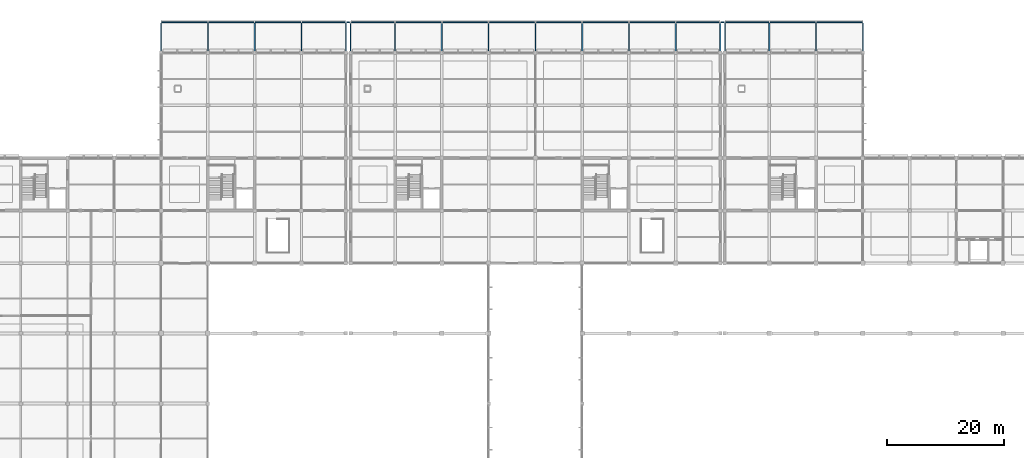
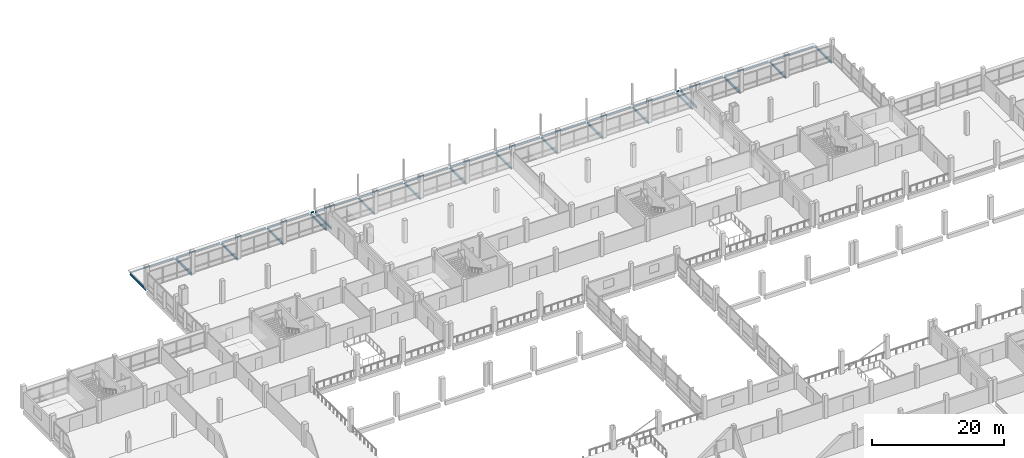
# One storey, part 32 of 57: 35 beams.
"""IFC4 building model written with IfcOpenShell, lengths in metres."""

from ifc_helpers import new_model, si_unit, direction, frame, origin, origin_2d, place, context, subcontext, project, spatial, i_section, extrude, material, material_profile, profile_set, type_object, element, save


model = new_model("IFC4")

# Units and contexts
model_context = context("Model", 3, precision=1e-05, world=origin(), true_north=direction((0.0, 1.0)))
body_context = subcontext(model_context, "Body", "Model", "MODEL_VIEW")
ifc_project = project(units=[si_unit("LENGTHUNIT", "METRE"), si_unit("AREAUNIT", "SQUARE_METRE"), si_unit("VOLUMEUNIT", "CUBIC_METRE"), si_unit("PLANEANGLEUNIT", "RADIAN"), si_unit("MASSUNIT", "GRAM", prefix="KILO"), si_unit("THERMODYNAMICTEMPERATUREUNIT", "KELVIN"), si_unit("POWERUNIT", "WATT")], contexts=[model_context])

# Site, building, storey
site_placement = place(None, origin())
site = spatial("IfcSite", under=ifc_project, at=site_placement, CompositionType="ELEMENT")
building_placement = place(site_placement, origin())
building = spatial("IfcBuilding", under=site, at=building_placement, Name="Kronsvod Quay Wholesale Market", CompositionType="ELEMENT")
storey_placement = place(building_placement, frame((0.0, 0.0, 4.800048828125)))
storey = spatial("IfcBuildingStorey", under=building, at=storey_placement, Name="L01", CompositionType="ELEMENT", Elevation=4.800048828125)

# Beams
ifc_material_1 = material(Name="Steel S355", Category="steel")
ifc_material_profile_1 = material_profile(ifc_material_1, i_section(OverallWidth=0.1240234375, OverallDepth=0.248046875, WebThickness=0.0048828125, FlangeThickness=0.008056640625, FilletRadius=0.011962890625, at=origin_2d()), Name="25B1")
ifc_profile_set_1 = profile_set([ifc_material_profile_1], Name="Steel S355")
beam_type_1 = type_object("IfcBeamType", Name="Beam_Steel25B1", PredefinedType="BEAM", material=ifc_profile_set_1)
for number, where, z_axis, x_axis, name in (
    (1, (32.1298828125, 131.199951171875, -0.31396484375), (1.0, 0.0, 0.0), (0.0, 1.0, 0.0), "BMCAN-X-L01-00"),
    (2, (40.1298828125, 131.199951171875, -0.31396484375), (1.0, 0.0, 0.0), (0.0, 1.0, 0.0), "BMCAN-X-L01-01"),
    (3, (48.1298828125, 131.199951171875, -0.31396484375), (1.0, 0.0, 0.0), (0.0, 1.0, 0.0), "BMCAN-X-L01-02"),
):
    element("IfcBeam", number, at=place(storey_placement, frame(where, z_axis=z_axis, x_axis=x_axis)), inside=storey, type_object=beam_type_1, Name=name, PredefinedType="BEAM", context=body_context, shape_type="SweptSolid", body=[
        extrude(i_section(OverallWidth=0.1240234375, OverallDepth=0.248046875, WebThickness=0.0048828125, FlangeThickness=0.008056640625, FilletRadius=0.011962890625, at=origin_2d()), origin(), (0.0, 0.0, 1.0), 7.740234375),
    ])
beam_1_placement = place(storey_placement, frame((56.1298828125, 131.199951171875, -0.31396484375), z_axis=(1.0, 0.0, 0.0), x_axis=(0.0, 1.0, 0.0)))
element("IfcBeam", 4, at=beam_1_placement, inside=storey, type_object=beam_type_1, Name="BMCAN-X-L01-03", PredefinedType="BEAM", context=body_context, shape_type="SweptSolid", body=[
    extrude(i_section(OverallWidth=0.1240234375, OverallDepth=0.248046875, WebThickness=0.0048828125, FlangeThickness=0.008056640625, FilletRadius=0.011962890625, at=origin_2d()), origin(), (0.0, 0.0, 1.0), 7.340087890625),
])
beam_2_placement = place(storey_placement, frame((63.72998046875, 131.199951171875, -0.31396484375), z_axis=(1.0, 0.0, 0.0), x_axis=(0.0, 1.0, 0.0)))
element("IfcBeam", 5, at=beam_2_placement, inside=storey, type_object=beam_type_1, Name="BMCAN-X-L01-04", PredefinedType="BEAM", context=body_context, shape_type="SweptSolid", body=[
    extrude(i_section(OverallWidth=0.1240234375, OverallDepth=0.248046875, WebThickness=0.0048828125, FlangeThickness=0.008056640625, FilletRadius=0.011962890625, at=origin_2d()), origin(), (0.0, 0.0, 1.0), 0.5400390625),
])
beam_3_placement = place(storey_placement, frame((64.530029296875, 131.199951171875, -0.31396484375), z_axis=(1.0, 0.0, 0.0), x_axis=(0.0, 1.0, 0.0)))
element("IfcBeam", 6, at=beam_3_placement, inside=storey, type_object=beam_type_1, Name="BMCAN-X-L01-05", PredefinedType="BEAM", context=body_context, shape_type="SweptSolid", body=[
    extrude(i_section(OverallWidth=0.1240234375, OverallDepth=0.248046875, WebThickness=0.0048828125, FlangeThickness=0.008056640625, FilletRadius=0.011962890625, at=origin_2d()), origin(), (0.0, 0.0, 1.0), 7.340087890625),
])
for number, where, z_axis, x_axis, name in (
    (7, (72.1298828125, 131.199951171875, -0.31396484375), (1.0, 0.0, 0.0), (0.0, 1.0, 0.0), "BMCAN-X-L01-06"),
    (8, (80.1298828125, 131.199951171875, -0.31396484375), (1.0, 0.0, 0.0), (0.0, 1.0, 0.0), "BMCAN-X-L01-07"),
    (9, (88.1298828125, 131.199951171875, -0.31396484375), (1.0, 0.0, 0.0), (0.0, 1.0, 0.0), "BMCAN-X-L01-08"),
    (10, (96.1298828125, 131.199951171875, -0.31396484375), (1.0, 0.0, 0.0), (0.0, 1.0, 0.0), "BMCAN-X-L01-09"),
    (11, (104.1298828125, 131.199951171875, -0.31396484375), (1.0, 0.0, 0.0), (0.0, 1.0, 0.0), "BMCAN-X-L01-10"),
    (12, (112.1298828125, 131.199951171875, -0.31396484375), (1.0, 0.0, 0.0), (0.0, 1.0, 0.0), "BMCAN-X-L01-11"),
):
    element("IfcBeam", number, at=place(storey_placement, frame(where, z_axis=z_axis, x_axis=x_axis)), inside=storey, type_object=beam_type_1, Name=name, PredefinedType="BEAM", context=body_context, shape_type="SweptSolid", body=[
        extrude(i_section(OverallWidth=0.1240234375, OverallDepth=0.248046875, WebThickness=0.0048828125, FlangeThickness=0.008056640625, FilletRadius=0.011962890625, at=origin_2d()), origin(), (0.0, 0.0, 1.0), 7.740234375),
    ])
beam_4_placement = place(storey_placement, frame((120.1298828125, 131.199951171875, -0.31396484375), z_axis=(1.0, 0.0, 0.0), x_axis=(0.0, 1.0, 0.0)))
element("IfcBeam", 13, at=beam_4_placement, inside=storey, type_object=beam_type_1, Name="BMCAN-X-L01-12", PredefinedType="BEAM", context=body_context, shape_type="SweptSolid", body=[
    extrude(i_section(OverallWidth=0.1240234375, OverallDepth=0.248046875, WebThickness=0.0048828125, FlangeThickness=0.008056640625, FilletRadius=0.011962890625, at=origin_2d()), origin(), (0.0, 0.0, 1.0), 7.340087890625),
])
beam_5_placement = place(storey_placement, frame((127.72998046875, 131.199951171875, -0.31396484375), z_axis=(1.0, 0.0, 0.0), x_axis=(0.0, 1.0, 0.0)))
element("IfcBeam", 14, at=beam_5_placement, inside=storey, type_object=beam_type_1, Name="BMCAN-X-L01-13", PredefinedType="BEAM", context=body_context, shape_type="SweptSolid", body=[
    extrude(i_section(OverallWidth=0.1240234375, OverallDepth=0.248046875, WebThickness=0.0048828125, FlangeThickness=0.008056640625, FilletRadius=0.011962890625, at=origin_2d()), origin(), (0.0, 0.0, 1.0), 0.5400390625),
])
beam_6_placement = place(storey_placement, frame((128.530029296875, 131.199951171875, -0.31396484375), z_axis=(1.0, 0.0, 0.0), x_axis=(0.0, 1.0, 0.0)))
element("IfcBeam", 15, at=beam_6_placement, inside=storey, type_object=beam_type_1, Name="BMCAN-X-L01-14", PredefinedType="BEAM", context=body_context, shape_type="SweptSolid", body=[
    extrude(i_section(OverallWidth=0.1240234375, OverallDepth=0.248046875, WebThickness=0.0048828125, FlangeThickness=0.008056640625, FilletRadius=0.011962890625, at=origin_2d()), origin(), (0.0, 0.0, 1.0), 7.340087890625),
])
for number, where, z_axis, x_axis, name in (
    (16, (136.1298828125, 131.199951171875, -0.31396484375), (1.0, 0.0, 0.0), (0.0, 1.0, 0.0), "BMCAN-X-L01-15"),
    (17, (144.1298828125, 131.199951171875, -0.31396484375), (1.0, 0.0, 0.0), (0.0, 1.0, 0.0), "BMCAN-X-L01-16"),
):
    element("IfcBeam", number, at=place(storey_placement, frame(where, z_axis=z_axis, x_axis=x_axis)), inside=storey, type_object=beam_type_1, Name=name, PredefinedType="BEAM", context=body_context, shape_type="SweptSolid", body=[
        extrude(i_section(OverallWidth=0.1240234375, OverallDepth=0.248046875, WebThickness=0.0048828125, FlangeThickness=0.008056640625, FilletRadius=0.011962890625, at=origin_2d()), origin(), (0.0, 0.0, 1.0), 7.740234375),
    ])
ifc_material_2 = material(Name="Steel S355", Category="steel")
ifc_material_profile_2 = material_profile(ifc_material_2, i_section(OverallWidth=0.198974609375, OverallDepth=0.39599609375, WebThickness=0.007080078125, FlangeThickness=0.010986328125, FilletRadius=0.01611328125, at=origin_2d()), Name="40B1")
ifc_profile_set_2 = profile_set([ifc_material_profile_2], Name="Steel S355")
beam_type_2 = type_object("IfcBeamType", Name="Beam_Steel40B1", PredefinedType="BEAM", material=ifc_profile_set_2)
for number, where, z_axis, x_axis, name in (
    (18, (32.0, 126.159912109375, -0.387939453125), (0.0, 1.0, 0.0), (-1.0, 0.0, 0.0), "BMCAN-Y-L01-01"),
    (19, (40.0, 126.159912109375, -0.387939453125), (0.0, 1.0, 0.0), (-1.0, 0.0, 0.0), "BMCAN-Y-L01-02"),
    (20, (48.0, 126.159912109375, -0.387939453125), (0.0, 1.0, 0.0), (-1.0, 0.0, 0.0), "BMCAN-Y-L01-03"),
    (21, (56.0, 126.159912109375, -0.387939453125), (0.0, 1.0, 0.0), (-1.0, 0.0, 0.0), "BMCAN-Y-L01-04"),
    (22, (63.60009765625, 126.159912109375, -0.387939453125), (0.0, 1.0, 0.0), (-1.0, 0.0, 0.0), "BMCAN-Y-L01-05"),
    (23, (64.39990234375, 126.159912109375, -0.387939453125), (0.0, 1.0, 0.0), (-1.0, 0.0, 0.0), "BMCAN-Y-L01-06"),
    (24, (72.0, 126.159912109375, -0.387939453125), (0.0, 1.0, 0.0), (-1.0, 0.0, 0.0), "BMCAN-Y-L01-07"),
    (25, (80.0, 126.159912109375, -0.387939453125), (0.0, 1.0, 0.0), (-1.0, 0.0, 0.0), "BMCAN-Y-L01-08"),
    (26, (88.0, 126.159912109375, -0.387939453125), (0.0, 1.0, 0.0), (-1.0, 0.0, 0.0), "BMCAN-Y-L01-09"),
    (27, (96.0, 126.159912109375, -0.387939453125), (0.0, 1.0, 0.0), (-1.0, 0.0, 0.0), "BMCAN-Y-L01-10"),
    (28, (104.0, 126.159912109375, -0.387939453125), (0.0, 1.0, 0.0), (-1.0, 0.0, 0.0), "BMCAN-Y-L01-11"),
    (29, (112.0, 126.159912109375, -0.387939453125), (0.0, 1.0, 0.0), (-1.0, 0.0, 0.0), "BMCAN-Y-L01-12"),
    (30, (120.0, 126.159912109375, -0.387939453125), (0.0, 1.0, 0.0), (-1.0, 0.0, 0.0), "BMCAN-Y-L01-13"),
    (31, (127.60009765625, 126.159912109375, -0.387939453125), (0.0, 1.0, 0.0), (-1.0, 0.0, 0.0), "BMCAN-Y-L01-14"),
    (32, (128.39990234375, 126.159912109375, -0.387939453125), (0.0, 1.0, 0.0), (-1.0, 0.0, 0.0), "BMCAN-Y-L01-15"),
    (33, (136.0, 126.159912109375, -0.387939453125), (0.0, 1.0, 0.0), (-1.0, 0.0, 0.0), "BMCAN-Y-L01-16"),
    (34, (144.0, 126.159912109375, -0.387939453125), (0.0, 1.0, 0.0), (-1.0, 0.0, 0.0), "BMCAN-Y-L01-17"),
    (35, (152.0, 126.159912109375, -0.387939453125), (0.0, 1.0, 0.0), (-1.0, 0.0, 0.0), "BMCAN-Y-L01-18"),
):
    element("IfcBeam", number, at=place(storey_placement, frame(where, z_axis=z_axis, x_axis=x_axis)), inside=storey, type_object=beam_type_2, Name=name, PredefinedType="BEAM", context=body_context, shape_type="SweptSolid", body=[
        extrude(i_section(OverallWidth=0.198974609375, OverallDepth=0.39599609375, WebThickness=0.007080078125, FlangeThickness=0.010986328125, FilletRadius=0.01611328125, at=origin_2d()), origin(), (0.0, 0.0, 1.0), 4.920166015625),
    ])

save(model, "model.ifc")
